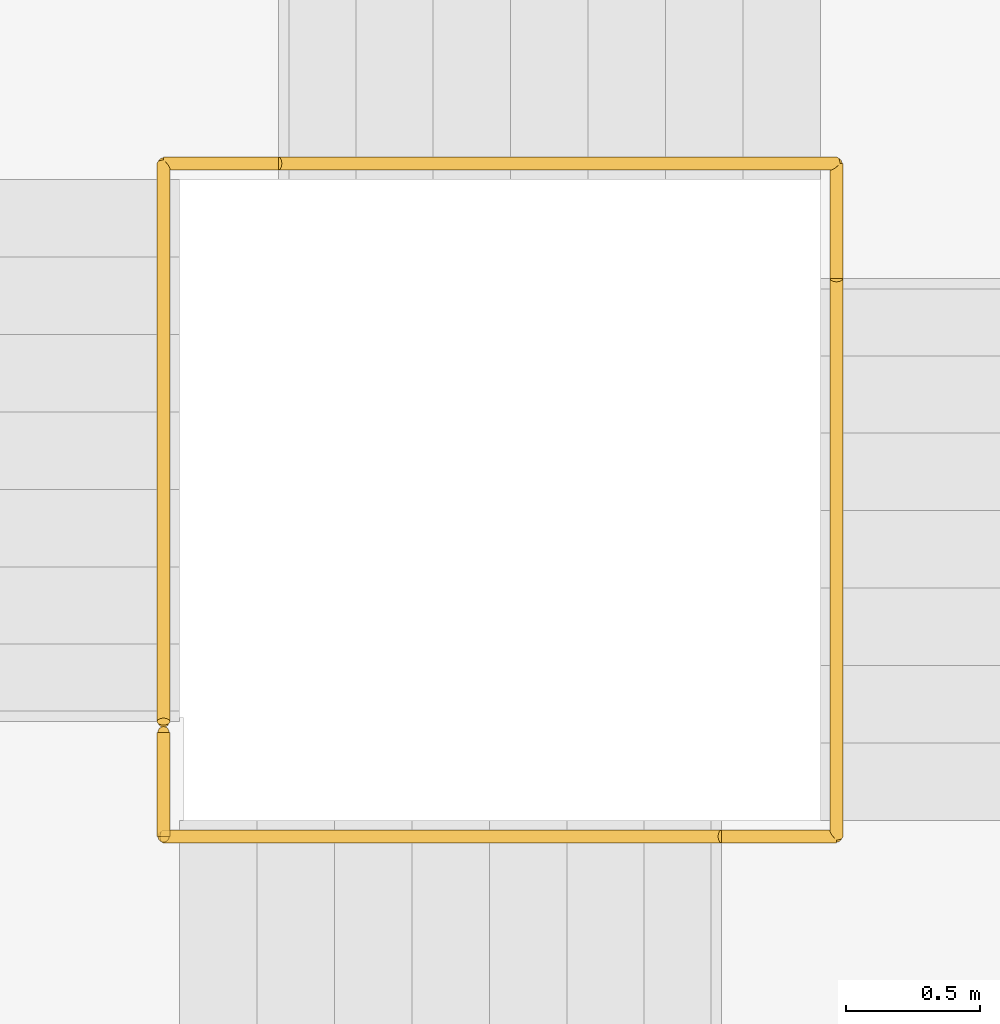
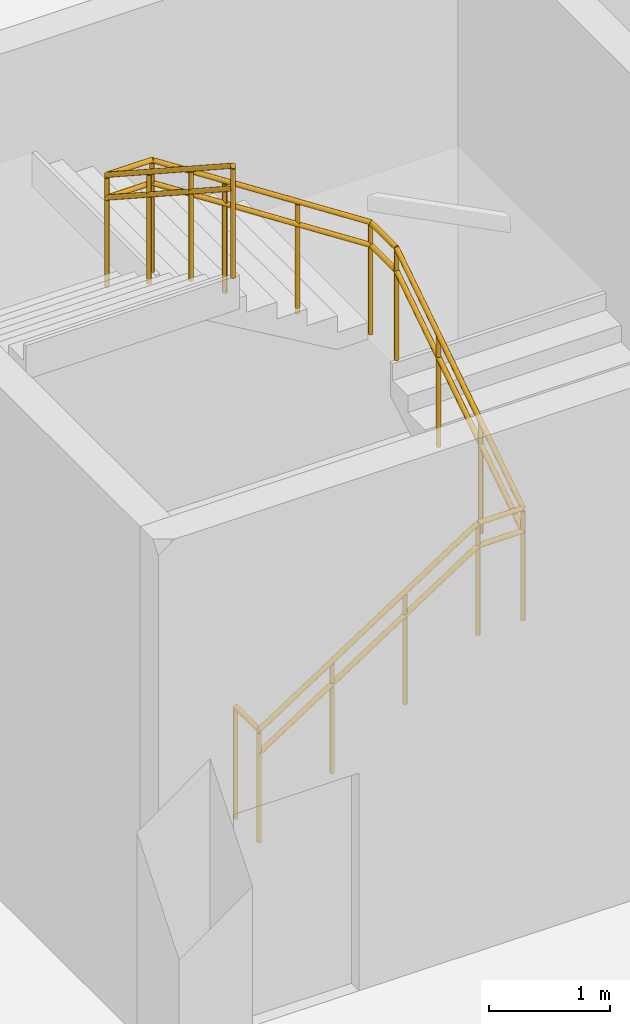
# One storey, part 72 of 74: 3 railings.
"""IFC4 building model written with IfcOpenShell, lengths in metres."""

from ifc_helpers import new_model, si_unit, direction, frame, origin, origin_2d, place, context, subcontext, project, spatial, circle, extrude, material, type_object, element, save


model = new_model("IFC4")

# Units and contexts
model_context = context("Model", 3, precision=1e-05, world=origin(), true_north=direction((0.0, 1.0)))
body_context = subcontext(model_context, "Body", "Model", "MODEL_VIEW")
ifc_project = project(units=[si_unit("LENGTHUNIT", "METRE"), si_unit("AREAUNIT", "SQUARE_METRE"), si_unit("VOLUMEUNIT", "CUBIC_METRE"), si_unit("PLANEANGLEUNIT", "RADIAN"), si_unit("MASSUNIT", "GRAM", prefix="KILO")], contexts=[model_context])

# Site, building, storey
site_placement = place(None, origin())
site = spatial("IfcSite", under=ifc_project, at=site_placement, CompositionType="ELEMENT")
building_placement = place(site_placement, origin())
building = spatial("IfcBuilding", under=site, at=building_placement, Name="Sillaruma Civic Art Gallery", CompositionType="ELEMENT")
storey_placement = place(building_placement, frame((0.0, 0.0, 5.43994140625)))
storey = spatial("IfcBuildingStorey", under=building, at=storey_placement, Name="L01", CompositionType="ELEMENT", Elevation=5.43994140625)

# Railings
ifc_material = material(Name="Stainless Steel AISI 316", Category="steel")
railing_type_1 = type_object("IfcRailingType", Name="RAL-BAL-1150", PredefinedType="BALUSTRADE", material=ifc_material)
railing_1_placement = place(storey_placement, frame((27.5400390625, 102.679931640625, 0.0)))
element("IfcRailing", 1, at=railing_1_placement, inside=storey, type_object=railing_type_1, Name="Stair Floor Edge Guard (ST-01:L01)", PredefinedType="BALUSTRADE", context=body_context, shape_type="SweptSolid", body=[
    extrude(circle(Radius=0.02392578125, at=origin_2d()), frame((0.0, 0.0, 1.1259765625), z_axis=(0.0, 1.0, 0.0), x_axis=(-1.0, 0.0, 0.0)), (0.0, 0.0, 1.0), 0.39013671875),
    extrude(circle(Radius=0.02099609375, at=origin_2d()), origin(), (0.0, 0.0, 1.0), 1.101806640625),
    extrude(circle(Radius=0.02099609375, at=origin_2d()), frame((0.0, 0.39013671875, 0.0)), (0.0, 0.0, 1.0), 1.101806640625),
])
railing_2_placement = place(storey_placement, frame((27.5400390625, 102.679931640625, 0.0)))
element("IfcRailing", 2, at=railing_2_placement, inside=storey, type_object=railing_type_1, Name="Stair Well Balustrade (ST-01-L01)", PredefinedType="BALUSTRADE", context=body_context, shape_type="SweptSolid", body=[
    extrude(circle(Radius=0.02392578125, at=origin_2d()), frame((0.0, 0.0, 1.1259765625), z_axis=(0.838130295786, 0.0, 0.545470079185), x_axis=(0.0, 1.0, 0.0)), (0.0, 0.0, 1.0), 2.493408203125),
    extrude(circle(Radius=0.02392578125, at=origin_2d()), frame((2.08984375, 0.0, 2.48583984375), z_axis=(1.0, 0.0, 0.0), x_axis=(0.0, 1.0, 0.0)), (0.0, 0.0, 1.0), 0.43017578125),
    extrude(circle(Radius=0.02392578125, at=origin_2d()), frame((2.52001953125, 0.0, 2.48583984375), z_axis=(0.0, 0.838204181713, 0.545356534534), x_axis=(-1.0, 0.0, 0.0)), (0.0, 0.0, 1.0), 2.49365234375),
    extrude(circle(Radius=0.02392578125, at=origin_2d()), frame((2.52001953125, 2.090087890625, 3.845703125), z_axis=(0.0, 1.0, 0.0), x_axis=(-1.0, 0.0, 0.0)), (0.0, 0.0, 1.0), 0.429931640625),
    extrude(circle(Radius=0.02392578125, at=origin_2d()), frame((2.52001953125, 2.52001953125, 3.845703125), z_axis=(-0.838159424827, 0.0, 0.545425318971), x_axis=(0.0, -1.0, 0.0)), (0.0, 0.0, 1.0), 2.49365234375),
    extrude(circle(Radius=0.02392578125, at=origin_2d()), frame((0.429931640625, 2.52001953125, 5.2060546875), z_axis=(-1.0, 0.0, 0.0), x_axis=(0.0, -1.0, 0.0)), (0.0, 0.0, 1.0), 0.429931640625),
    extrude(circle(Radius=0.02392578125, at=origin_2d()), frame((0.0, 2.52001953125, 5.2060546875), z_axis=(0.0, -0.838175058464, 0.545401293883), x_axis=(1.0, 0.0, 0.0)), (0.0, 0.0, 1.0), 2.493408203125),
    extrude(circle(Radius=0.02099609375, at=origin_2d()), origin(), (0.0, 0.0, 1.0), 1.101806640625),
    extrude(circle(Radius=0.02099609375, at=origin_2d()), frame((0.696533203125, 0.0, 0.453369140625)), (0.0, 0.0, 1.0), 1.101806640625),
    extrude(circle(Radius=0.02099609375, at=origin_2d()), frame((1.393310546875, 0.0, 0.90673828125)), (0.0, 0.0, 1.0), 1.101806640625),
    extrude(circle(Radius=0.02099609375, at=origin_2d()), frame((2.08984375, 0.0, 1.360107421875)), (0.0, 0.0, 1.0), 1.101806640625),
    extrude(circle(Radius=0.02099609375, at=origin_2d()), frame((2.52001953125, 0.0, 1.360107421875)), (0.0, 0.0, 1.0), 1.101806640625),
    extrude(circle(Radius=0.02099609375, at=origin_2d()), frame((2.52001953125, 0.69677734375, 1.8134765625)), (0.0, 0.0, 1.0), 1.101806640625),
    extrude(circle(Radius=0.02099609375, at=origin_2d()), frame((2.52001953125, 1.393310546875, 2.2666015625)), (0.0, 0.0, 1.0), 1.101806640625),
    extrude(circle(Radius=0.02099609375, at=origin_2d()), frame((2.52001953125, 2.090087890625, 2.719970703125)), (0.0, 0.0, 1.0), 1.101806640625),
    extrude(circle(Radius=0.02099609375, at=origin_2d()), frame((2.52001953125, 2.52001953125, 2.719970703125)), (0.0, 0.0, 1.0), 1.101806640625),
    extrude(circle(Radius=0.02099609375, at=origin_2d()), frame((1.8232421875, 2.52001953125, 3.17333984375)), (0.0, 0.0, 1.0), 1.101806640625),
    extrude(circle(Radius=0.02099609375, at=origin_2d()), frame((1.126708984375, 2.52001953125, 3.626708984375)), (0.0, 0.0, 1.0), 1.101806640625),
    extrude(circle(Radius=0.02099609375, at=origin_2d()), frame((0.429931640625, 2.52001953125, 4.080078125)), (0.0, 0.0, 1.0), 1.101806640625),
    extrude(circle(Radius=0.02099609375, at=origin_2d()), frame((0.0, 2.52001953125, 4.080078125)), (0.0, 0.0, 1.0), 1.101806640625),
    extrude(circle(Radius=0.02099609375, at=origin_2d()), frame((0.0, 1.823486328125, 4.533447265625)), (0.0, 0.0, 1.0), 1.101806640625),
    extrude(circle(Radius=0.02099609375, at=origin_2d()), frame((0.0, 1.126708984375, 4.986572265625)), (0.0, 0.0, 1.0), 1.101806640625),
    extrude(circle(Radius=0.02099609375, at=origin_2d()), frame((0.0, 0.43017578125, 5.43994140625)), (0.0, 0.0, 1.0), 1.101806640625),
])
railing_type_2 = type_object("IfcRailingType", Name="RAL-HND-920", PredefinedType="HANDRAIL", material=ifc_material)
railing_3_placement = place(storey_placement, frame((27.5400390625, 102.679931640625, 0.0)))
element("IfcRailing", 3, at=railing_3_placement, inside=storey, type_object=railing_type_2, Name="Stair Continuous Handrail (ST-01-L01)", PredefinedType="HANDRAIL", context=body_context, shape_type="SweptSolid", body=[
    extrude(circle(Radius=0.02392578125, at=origin_2d()), frame((0.0, 0.0, 0.89599609375), z_axis=(0.838130295786, 0.0, 0.545470079185), x_axis=(0.0, 1.0, 0.0)), (0.0, 0.0, 1.0), 2.493408203125),
    extrude(circle(Radius=0.02392578125, at=origin_2d()), frame((2.08984375, 0.0, 2.255859375), z_axis=(1.0, 0.0, 0.0), x_axis=(0.0, 1.0, 0.0)), (0.0, 0.0, 1.0), 0.43017578125),
    extrude(circle(Radius=0.02392578125, at=origin_2d()), frame((2.52001953125, 0.0, 2.255859375), z_axis=(0.0, 0.838204181713, 0.545356534534), x_axis=(-1.0, 0.0, 0.0)), (0.0, 0.0, 1.0), 2.49365234375),
    extrude(circle(Radius=0.02392578125, at=origin_2d()), frame((2.52001953125, 2.090087890625, 3.61572265625), z_axis=(0.0, 1.0, 0.0), x_axis=(-1.0, 0.0, 0.0)), (0.0, 0.0, 1.0), 0.429931640625),
    extrude(circle(Radius=0.02392578125, at=origin_2d()), frame((2.52001953125, 2.52001953125, 3.61572265625), z_axis=(-0.838159424827, 0.0, 0.545425318971), x_axis=(0.0, -1.0, 0.0)), (0.0, 0.0, 1.0), 2.49365234375),
    extrude(circle(Radius=0.02392578125, at=origin_2d()), frame((0.429931640625, 2.52001953125, 4.97607421875), z_axis=(-1.0, 0.0, 0.0), x_axis=(0.0, -1.0, 0.0)), (0.0, 0.0, 1.0), 0.429931640625),
    extrude(circle(Radius=0.02392578125, at=origin_2d()), frame((0.0, 2.52001953125, 4.97607421875), z_axis=(0.0, -0.838175058464, 0.545401293883), x_axis=(1.0, 0.0, 0.0)), (0.0, 0.0, 1.0), 2.493408203125),
    extrude(circle(Radius=0.02099609375, at=origin_2d()), origin(), (0.0, 0.0, 1.0), 0.871826171875),
    extrude(circle(Radius=0.02099609375, at=origin_2d()), frame((0.696533203125, 0.0, 0.453369140625)), (0.0, 0.0, 1.0), 0.871826171875),
    extrude(circle(Radius=0.02099609375, at=origin_2d()), frame((1.393310546875, 0.0, 0.90673828125)), (0.0, 0.0, 1.0), 0.871826171875),
    extrude(circle(Radius=0.02099609375, at=origin_2d()), frame((2.08984375, 0.0, 1.360107421875)), (0.0, 0.0, 1.0), 0.871826171875),
    extrude(circle(Radius=0.02099609375, at=origin_2d()), frame((2.52001953125, 0.0, 1.360107421875)), (0.0, 0.0, 1.0), 0.871826171875),
    extrude(circle(Radius=0.02099609375, at=origin_2d()), frame((2.52001953125, 0.69677734375, 1.8134765625)), (0.0, 0.0, 1.0), 0.871826171875),
    extrude(circle(Radius=0.02099609375, at=origin_2d()), frame((2.52001953125, 1.393310546875, 2.2666015625)), (0.0, 0.0, 1.0), 0.871826171875),
    extrude(circle(Radius=0.02099609375, at=origin_2d()), frame((2.52001953125, 2.090087890625, 2.719970703125)), (0.0, 0.0, 1.0), 0.871826171875),
    extrude(circle(Radius=0.02099609375, at=origin_2d()), frame((2.52001953125, 2.52001953125, 2.719970703125)), (0.0, 0.0, 1.0), 0.871826171875),
    extrude(circle(Radius=0.02099609375, at=origin_2d()), frame((1.8232421875, 2.52001953125, 3.17333984375)), (0.0, 0.0, 1.0), 0.871826171875),
    extrude(circle(Radius=0.02099609375, at=origin_2d()), frame((1.126708984375, 2.52001953125, 3.626708984375)), (0.0, 0.0, 1.0), 0.871826171875),
    extrude(circle(Radius=0.02099609375, at=origin_2d()), frame((0.429931640625, 2.52001953125, 4.080078125)), (0.0, 0.0, 1.0), 0.871826171875),
    extrude(circle(Radius=0.02099609375, at=origin_2d()), frame((0.0, 2.52001953125, 4.080078125)), (0.0, 0.0, 1.0), 0.871826171875),
    extrude(circle(Radius=0.02099609375, at=origin_2d()), frame((0.0, 1.823486328125, 4.533447265625)), (0.0, 0.0, 1.0), 0.871826171875),
    extrude(circle(Radius=0.02099609375, at=origin_2d()), frame((0.0, 1.126708984375, 4.986572265625)), (0.0, 0.0, 1.0), 0.871826171875),
    extrude(circle(Radius=0.02099609375, at=origin_2d()), frame((0.0, 0.43017578125, 5.43994140625)), (0.0, 0.0, 1.0), 0.871826171875),
])

save(model, "model.ifc")
